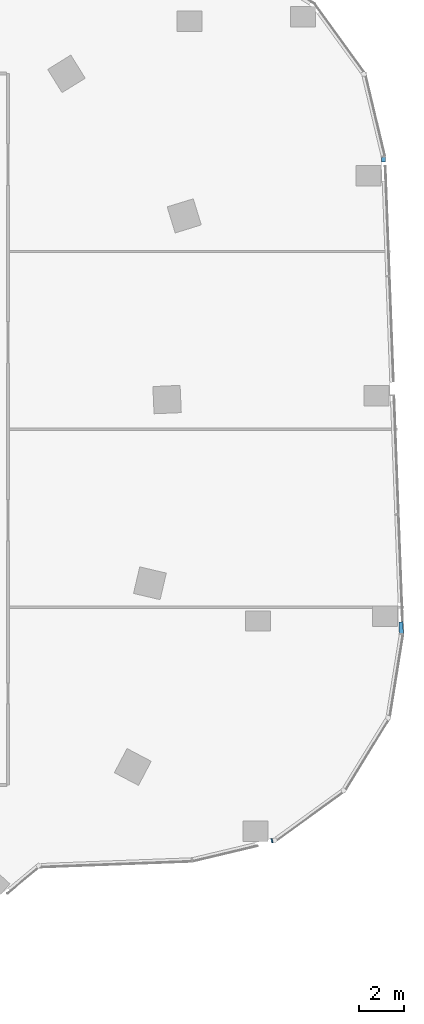
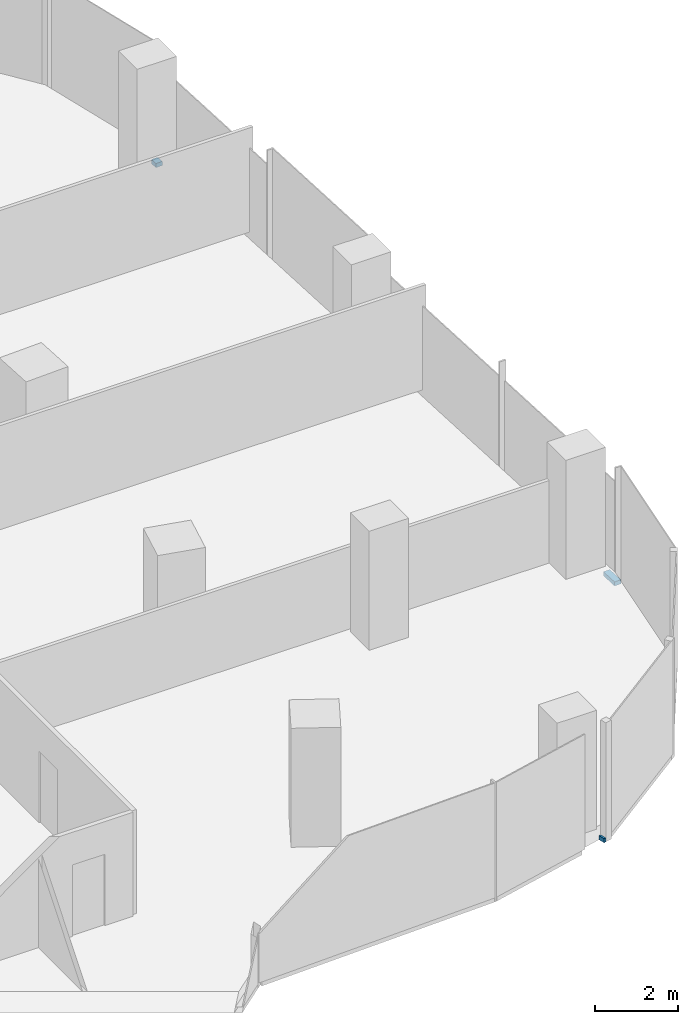
# One storey, part 13 of 23: 3 members, 2 elements without a shape of their own.
"""IFC4 building model written with IfcOpenShell, lengths in metres."""

from ifc_helpers import new_model, si_unit, direction, frame, origin, origin_2d, place, context, subcontext, project, spatial, rectangle, extrude, material, material_profile, profile_set, type_object, element, aggregate, save


model = new_model("IFC4")

# Units and contexts
model_context = context("Model", 3, precision=1e-05, world=origin(), true_north=direction((0.0, 1.0)))
body_context = subcontext(model_context, "Body", "Model", "MODEL_VIEW")
ifc_project = project(units=[si_unit("LENGTHUNIT", "METRE"), si_unit("AREAUNIT", "SQUARE_METRE"), si_unit("VOLUMEUNIT", "CUBIC_METRE"), si_unit("PLANEANGLEUNIT", "RADIAN"), si_unit("MASSUNIT", "GRAM", prefix="KILO")], contexts=[model_context])

# Site, building, storey
site_placement = place(None, origin())
site = spatial("IfcSite", under=ifc_project, at=site_placement, CompositionType="ELEMENT")
building_placement = place(site_placement, origin())
building = spatial("IfcBuilding", under=site, at=building_placement, Name="Orlundy Tower", CompositionType="ELEMENT")
storey_placement = place(building_placement, frame((0.0, 0.0, 181.10009765625)))
storey = spatial("IfcBuildingStorey", under=building, at=storey_placement, Name="L47", CompositionType="ELEMENT", Elevation=181.10009765625)

# Curtain wall, members
ifc_material_1 = material(Name="Aluminium bronze anodised", Category="aluminium")
curtain_wall_type = type_object("IfcCurtainWallType", Name="CW1 wall", PredefinedType="NOTDEFINED", material=ifc_material_1)
curtain_wall_1_placement = place(storey_placement, origin())
curtain_wall_1 = element("IfcCurtainWall", 1, at=curtain_wall_1_placement, inside=storey, type_object=curtain_wall_type, Name="CW1 run 011", PredefinedType="NOTDEFINED")
ifc_material_2 = material(Name="Aluminium bronze anodised", Category="aluminium")
ifc_material_profile = material_profile(ifc_material_2, rectangle(XDim=0.179931640625, YDim=0.1201171875, at=origin_2d()), Name="CW1 transom 180x120")
ifc_profile_set = profile_set([ifc_material_profile], Name="Aluminium bronze anodised")
member_type = type_object("IfcMemberType", Name="CW1 transom 180x120", PredefinedType="USERDEFINED", material=ifc_profile_set)
member_1_placement = place(storey_placement, frame((39.16552734375, 11.97314453125, -0.360107421875), z_axis=(0.03847790186, -0.999259451328, 0.0), x_axis=(0.999259451328, 0.03847790186, 0.0)))
member_1 = element("IfcMember", 2, at=member_1_placement, type_object=member_type, Name="CW1 transom", ObjectType="TRANSOM", PredefinedType="USERDEFINED", context=body_context, shape_type="SweptSolid", body=[
    extrude(rectangle(XDim=0.179931640625, YDim=0.1201171875, at=origin_2d()), origin(), (0.0, 0.0, 1.0), 0.20947265625),
])
member_2_placement = place(storey_placement, frame((39.93896484375, -8.46875, -0.360107421875), z_axis=(0.037754030575, -0.999287062448, 0.0), x_axis=(0.999287062448, 0.037754030575, 0.0)))
member_2 = element("IfcMember", 3, at=member_2_placement, type_object=member_type, Name="CW1 transom", ObjectType="TRANSOM", PredefinedType="USERDEFINED", context=body_context, shape_type="SweptSolid", body=[
    extrude(rectangle(XDim=0.179931640625, YDim=0.1201171875, at=origin_2d()), origin(), (0.0, 0.0, 1.0), 0.5107421875),
])
aggregate(curtain_wall_1, [member_1, member_2])

# Curtain wall, member
curtain_wall_2_placement = place(storey_placement, origin())
curtain_wall_2 = element("IfcCurtainWall", 4, at=curtain_wall_2_placement, inside=storey, type_object=curtain_wall_type, Name="CW1 run 015", PredefinedType="NOTDEFINED")
member_3_placement = place(storey_placement, frame((34.290771484375, -18.09521484375, -0.360107421875), z_axis=(-0.972115733093, -0.234501602281, 0.0), x_axis=(0.234501602281, -0.972115733093, 0.0)))
member_3 = element("IfcMember", 5, at=member_3_placement, type_object=member_type, Name="CW1 transom", ObjectType="TRANSOM", PredefinedType="USERDEFINED", context=body_context, shape_type="SweptSolid", body=[
    extrude(rectangle(XDim=0.179931640625, YDim=0.1201171875, at=origin_2d()), origin(), (0.0, 0.0, 1.0), 0.057373046875),
])
aggregate(curtain_wall_2, [member_3])

save(model, "model.ifc")
